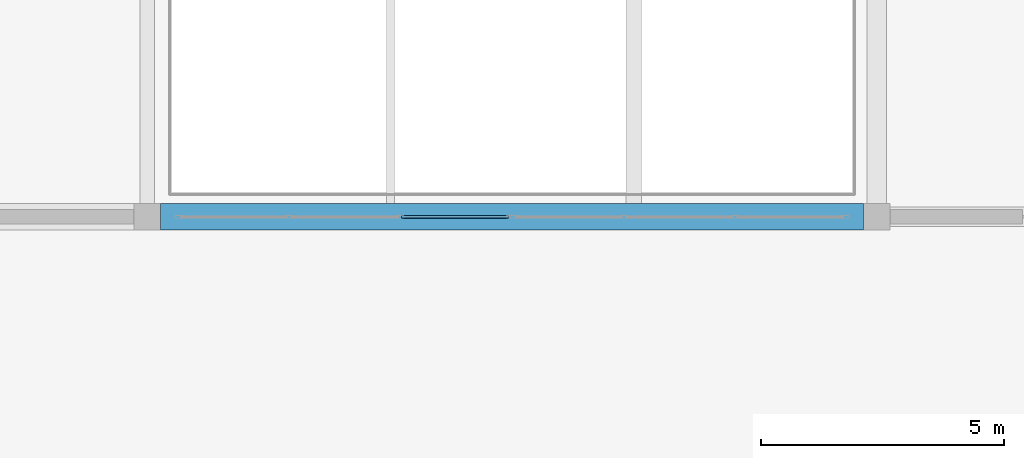
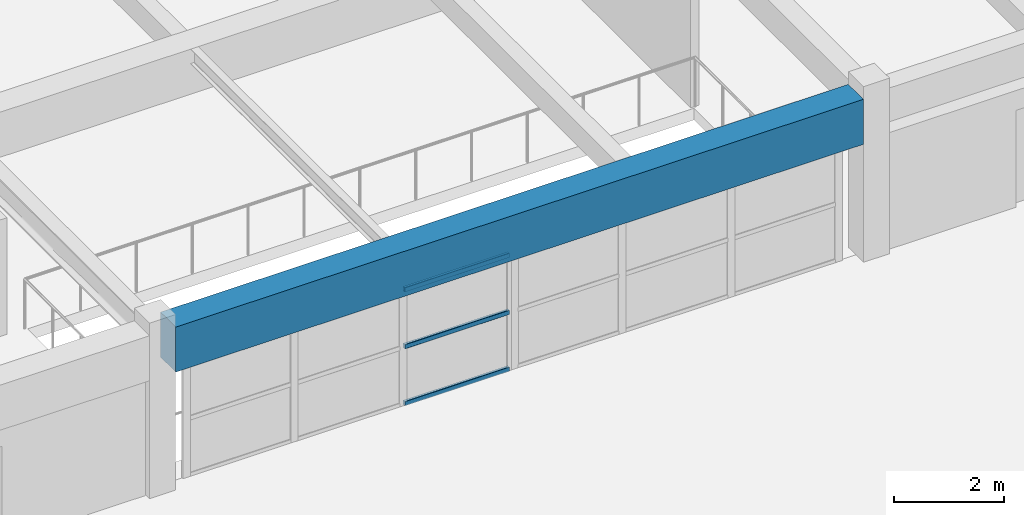
# One storey, part 5 of 101: 3 members, 1 beam, 1 element without a shape of its own.
"""IFC4 building model written with IfcOpenShell, lengths in metres."""

from ifc_helpers import new_model, si_unit, direction, frame, origin, origin_2d, place, context, subcontext, project, spatial, rectangle, hollow_rectangle, extrude, material, material_profile, profile_set, type_object, element, aggregate, save


model = new_model("IFC4")

# Units and contexts
model_context = context("Model", 3, precision=1e-05, world=origin(), true_north=direction((0.0, 1.0)))
body_context = subcontext(model_context, "Body", "Model", "MODEL_VIEW")
ifc_project = project(units=[si_unit("LENGTHUNIT", "METRE"), si_unit("AREAUNIT", "SQUARE_METRE"), si_unit("VOLUMEUNIT", "CUBIC_METRE"), si_unit("PLANEANGLEUNIT", "RADIAN"), si_unit("MASSUNIT", "GRAM", prefix="KILO")], contexts=[model_context])

# Site, building, storey
site_placement = place(None, origin())
site = spatial("IfcSite", under=ifc_project, at=site_placement, CompositionType="ELEMENT")
building_placement = place(site_placement, origin())
building = spatial("IfcBuilding", under=site, at=building_placement, Name="Qasida Concert Hall", CompositionType="ELEMENT")
storey_placement = place(building_placement, frame((0.0, 0.0, 13.199951171875)))
storey = spatial("IfcBuildingStorey", under=building, at=storey_placement, Name="L03", CompositionType="ELEMENT", Elevation=13.199951171875)

# Beam
ifc_material_1 = material(Name="Concrete C40/50", Category="concrete")
ifc_material_profile_1 = material_profile(ifc_material_1, rectangle(XDim=0.550048828125, YDim=1.0, at=origin_2d()), Name="RC 550x1000")
ifc_profile_set_1 = profile_set([ifc_material_profile_1], Name="Concrete C40/50")
beam_type = type_object("IfcBeamType", Name="BM-G3", PredefinedType="USERDEFINED", material=ifc_profile_set_1)
beam_placement = place(storey_placement, frame((15.27490234375, 15.0, 3.1201171875), z_axis=(1.0, 0.0, 0.0), x_axis=(0.0, 1.0, 0.0)))
element("IfcBeam", 1, at=beam_placement, inside=storey, type_object=beam_type, Name="Primary girder 1599", ObjectType="GIRDER", PredefinedType="USERDEFINED", context=body_context, shape_type="SweptSolid", body=[
    extrude(rectangle(XDim=0.550048828125, YDim=1.0, at=origin_2d()), origin(), (0.0, 0.0, 1.0), 14.4501953125),
])

# Curtain wall, members
ifc_material_2 = material(Name="Architectural bronze-anodized aluminium and low-E glass", Category="aluminium")
curtain_wall_type = type_object("IfcCurtainWallType", Name="CW-09", PredefinedType="NOTDEFINED", material=ifc_material_2)
curtain_wall_placement = place(storey_placement, origin())
curtain_wall = element("IfcCurtainWall", 2, at=curtain_wall_placement, inside=storey, type_object=curtain_wall_type, Name="L03 curtain wall CW-09 0120", PredefinedType="NOTDEFINED")
ifc_material_3 = material(Name="Architectural bronze-anodized aluminium EN AW-6063", Category="aluminium")
ifc_material_profile_2 = material_profile(ifc_material_3, hollow_rectangle(XDim=0.06005859375, YDim=0.10009765625, WallThickness=0.00341796875, InnerFilletRadius=0.00341796875, OuterFilletRadius=0.007080078125, at=origin_2d()), Name="CWT 100x60x3.5")
ifc_profile_set_2 = profile_set([ifc_material_profile_2], Name="Architectural bronze-anodized aluminium EN AW-6063")
member_type = type_object("IfcMemberType", Name="MB-CWT-3", PredefinedType="USERDEFINED", material=ifc_profile_set_2)
member_1_placement = place(storey_placement, frame((20.22998046875, 15.0, 0.030029296875), z_axis=(1.0, 0.0, 0.0), x_axis=(0.0, 1.0, 0.0)))
member_1 = element("IfcMember", 3, at=member_1_placement, type_object=member_type, Name="CW-09 transom 3.1", ObjectType="TRANSOM", PredefinedType="USERDEFINED", context=body_context, shape_type="SweptSolid", body=[
    extrude(hollow_rectangle(XDim=0.06005859375, YDim=0.10009765625, WallThickness=0.00341796875, InnerFilletRadius=0.00341796875, OuterFilletRadius=0.007080078125, at=origin_2d()), origin(), (0.0, 0.0, 1.0), 2.199951171875),
])
member_2_placement = place(storey_placement, frame((20.22998046875, 15.0, 1.295166015625), z_axis=(1.0, 0.0, 0.0), x_axis=(0.0, 1.0, 0.0)))
member_2 = element("IfcMember", 4, at=member_2_placement, type_object=member_type, Name="CW-09 transom 3.2", ObjectType="TRANSOM", PredefinedType="USERDEFINED", context=body_context, shape_type="SweptSolid", body=[
    extrude(hollow_rectangle(XDim=0.06005859375, YDim=0.10009765625, WallThickness=0.00341796875, InnerFilletRadius=0.00341796875, OuterFilletRadius=0.007080078125, at=origin_2d()), origin(), (0.0, 0.0, 1.0), 2.199951171875),
])
member_3_placement = place(storey_placement, frame((20.22998046875, 15.0, 2.56005859375), z_axis=(1.0, 0.0, 0.0), x_axis=(0.0, 1.0, 0.0)))
member_3 = element("IfcMember", 5, at=member_3_placement, type_object=member_type, Name="CW-09 transom 3.3", ObjectType="TRANSOM", PredefinedType="USERDEFINED", context=body_context, shape_type="SweptSolid", body=[
    extrude(hollow_rectangle(XDim=0.06005859375, YDim=0.10009765625, WallThickness=0.00341796875, InnerFilletRadius=0.00341796875, OuterFilletRadius=0.007080078125, at=origin_2d()), origin(), (0.0, 0.0, 1.0), 2.199951171875),
])
aggregate(curtain_wall, [member_1, member_2, member_3])

save(model, "model.ifc")
